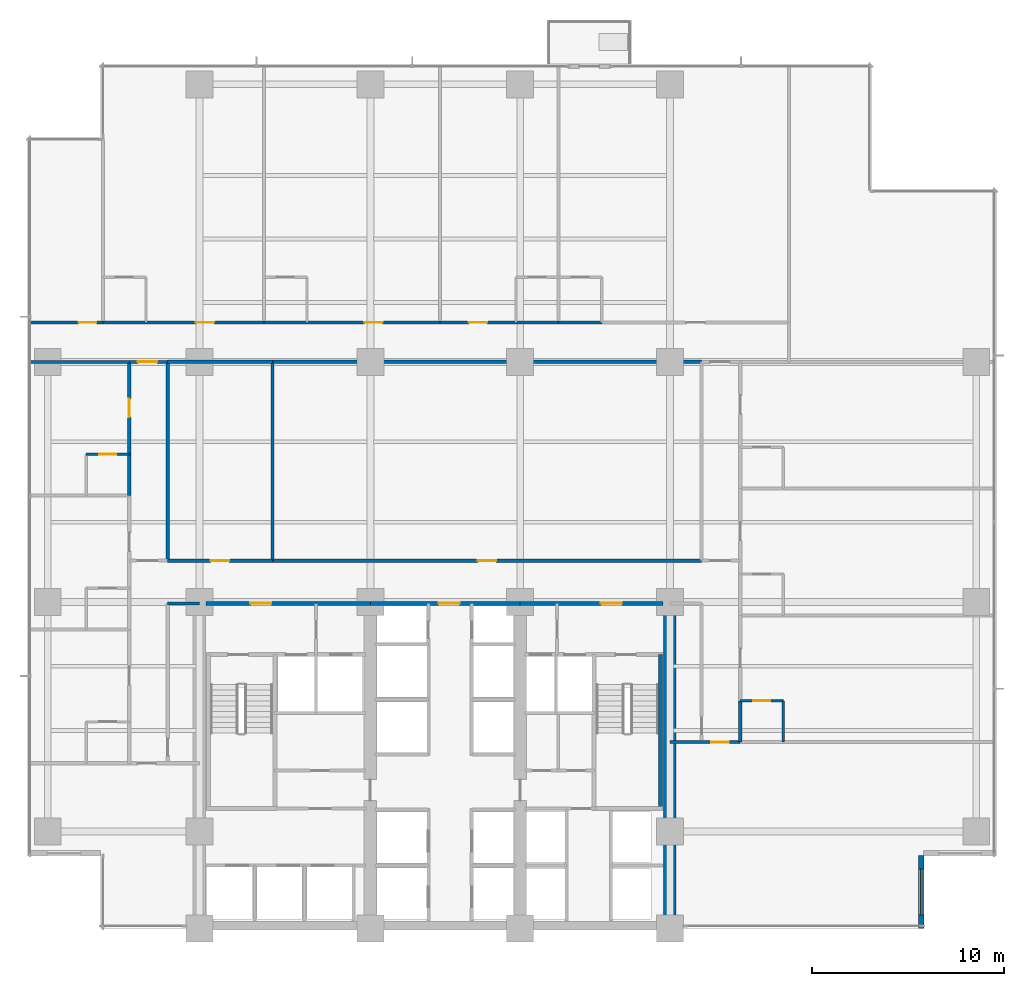
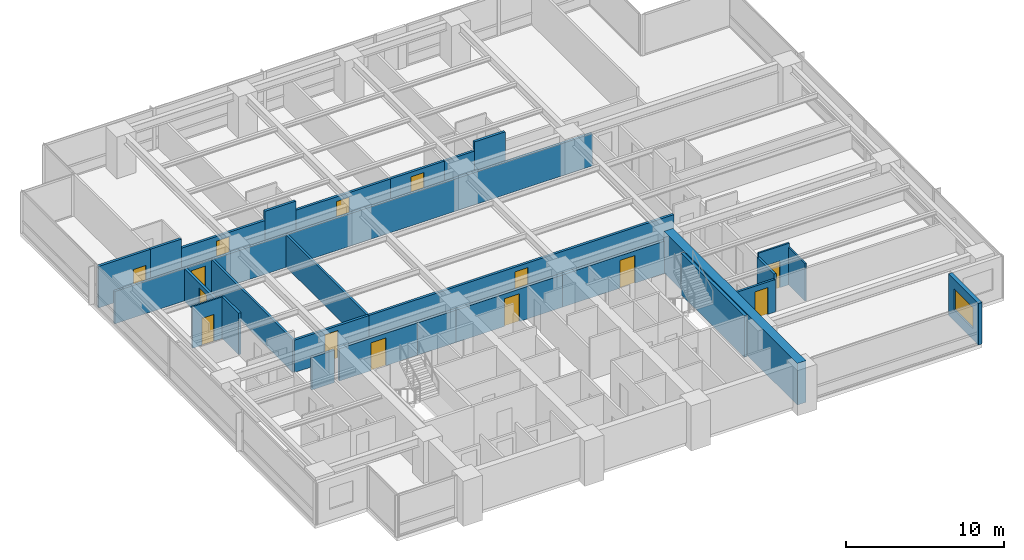
# One storey, part 9 of 16: 31 walls, 14 doors, 1 window, 15 openings.
"""IFC4 building model written with IfcOpenShell, lengths in metres."""

import ifcopenshell
import ifcopenshell.guid

model = None  # the IFC model being written
_history = None  # IfcOwnerHistory: only IFC2X3 demands one
_inside = {}  # id of a spatial element -> (the spatial element, [elements in it])
_under = {}  # id of a project, library or spatial element -> (it, [spatial elements below it])
_declared = {}  # id of a project -> (the project, [libraries it declares])
_typed = {}  # id of a type object -> (the type object, [elements of that type])
_made_of = {}  # id of a material, layer set ... -> (it, [elements and type objects made of it])


def new_model(schema):
    """Start an empty IFC model of exactly this schema.

    Asked for "IFC4X3", IfcOpenShell would pick the latest addendum, in which some entities
    have other attributes; the version numbers below select the first issue.
    IFC2X3 requires an IfcOwnerHistory on every rooted entity: one is made here for all.
    """
    global model, _history
    if schema == "IFC4X3":
        model = ifcopenshell.file(schema_version=(4, 3, 0, 0))
    else:
        model = ifcopenshell.file(schema=schema)
    _inside.clear()
    _under.clear()
    _declared.clear()
    _typed.clear()
    _made_of.clear()
    _history = None
    if model.schema == "IFC2X3":
        org = make("IfcOrganization", Name="unknown")
        user = make(
            "IfcPersonAndOrganization",
            ThePerson=make("IfcPerson", FamilyName="unknown"),
            TheOrganization=org,
        )
        app = make(
            "IfcApplication",
            ApplicationDeveloper=org,
            Version="unknown",
            ApplicationFullName="unknown",
            ApplicationIdentifier="unknown",
        )
        _history = make(
            "IfcOwnerHistory",
            OwningUser=user,
            OwningApplication=app,
            ChangeAction="ADDED",
            CreationDate=0,
        )
    return model


def make(cls, **values):
    """One entity of the class cls with the attributes given. An attribute that is None is left unset."""
    return model.create_entity(
        cls, **{name: value for name, value in values.items() if value is not None}
    )


def rooted(cls, **values):
    """An entity with a GlobalId (a new one), such as an element, a storey or a relation."""
    return make(cls, GlobalId=ifcopenshell.guid.new(), OwnerHistory=_history, **values)


def si_unit(unit_type, name, prefix=None):
    """IfcSIUnit, for example si_unit("LENGTHUNIT", "METRE", prefix="MILLI")."""
    return make("IfcSIUnit", UnitType=unit_type, Prefix=prefix, Name=name)


def assignment(units):
    """IfcUnitAssignment: the units of a project."""
    return None if units is None else make("IfcUnitAssignment", Units=units)


def point(xyz):
    """IfcCartesianPoint."""
    return None if xyz is None else make("IfcCartesianPoint", Coordinates=xyz)


def direction(xyz):
    """IfcDirection."""
    return None if xyz is None else make("IfcDirection", DirectionRatios=xyz)


def frame(location, z_axis=None, x_axis=None):
    """IfcAxis2Placement3D, a coordinate frame: its origin and axes. An axis left out is left unset."""
    return make(
        "IfcAxis2Placement3D",
        Location=point(location),
        Axis=direction(z_axis),
        RefDirection=direction(x_axis),
    )


def frame_2d(location, x_axis=None):
    """IfcAxis2Placement2D, a coordinate frame in the plane: its origin and x axis."""
    return make(
        "IfcAxis2Placement2D", Location=point(location), RefDirection=direction(x_axis)
    )


def origin():
    """The frame at (0, 0, 0) with its axes left unset."""
    return frame((0.0, 0.0, 0.0))


def place(relative_to, where):
    """IfcLocalPlacement: puts the frame where relative to a parent placement (None: the world)."""
    return make(
        "IfcLocalPlacement", PlacementRelTo=relative_to, RelativePlacement=where
    )


def context(
    kind, dimensions, precision=None, world=None, true_north=None, identifier=None
):
    """IfcGeometricRepresentationContext, for example the 3D "Model" context."""
    return make(
        "IfcGeometricRepresentationContext",
        ContextIdentifier=identifier,
        ContextType=kind,
        CoordinateSpaceDimension=dimensions,
        Precision=precision,
        WorldCoordinateSystem=world,
        TrueNorth=true_north,
    )


def subcontext(parent, identifier, kind, view, scale=None):
    """IfcGeometricRepresentationSubContext, for example "Body" below "Model"."""
    return make(
        "IfcGeometricRepresentationSubContext",
        ContextIdentifier=identifier,
        ContextType=kind,
        ParentContext=parent,
        TargetScale=scale,
        TargetView=view,
    )


def project(units=None, contexts=None):
    """IfcProject with its units and contexts."""
    return rooted(
        "IfcProject",
        Name="project",
        RepresentationContexts=contexts,
        UnitsInContext=assignment(units),
    )


def spatial(cls, under=None, at=None, **own):
    """A site, building, storey or space (cls), placed at a placement, below another one or the project."""
    s = rooted(cls, ObjectPlacement=at, **own)
    if under is not None:
        _under.setdefault(under.id(), (under, []))[1].append(s)
    return s


def profile(cls, at=None, kind="AREA", **sizes):
    """A parametric profile (cls). Its sizes go by their IFC names, for example OverallWidth=200.0."""
    return make(cls, ProfileType=kind, Position=at, **sizes)


def rectangle(**sizes):
    """IfcRectangleProfileDef."""
    return profile("IfcRectangleProfileDef", **sizes)


def extrude(swept, where, along, depth):
    """IfcExtrudedAreaSolid: the profile swept, set in the frame where, extruded along a direction by depth."""
    return make(
        "IfcExtrudedAreaSolid",
        SweptArea=swept,
        Position=where,
        ExtrudedDirection=direction(along),
        Depth=depth,
    )


def shape(context_of_items, identifier, shape_type, items):
    """IfcShapeRepresentation: the items that make up one representation, for example the "Body"."""
    return make(
        "IfcShapeRepresentation",
        ContextOfItems=context_of_items,
        RepresentationIdentifier=identifier,
        RepresentationType=shape_type,
        Items=items,
    )


def material(Name=None, Category=None):
    """IfcMaterial."""
    return make("IfcMaterial", Name=Name, Category=Category)


def layer(
    of_material, thickness, ventilated=None, Name=None, Category=None, Priority=None
):
    """IfcMaterialLayer: one layer of a wall or slab, of a material (None: an air gap)."""
    return make(
        "IfcMaterialLayer",
        Material=of_material,
        LayerThickness=thickness,
        IsVentilated=ventilated,
        Name=Name,
        Category=Category,
        Priority=Priority,
    )


def layer_set(layers, Name=None):
    """IfcMaterialLayerSet."""
    return make("IfcMaterialLayerSet", MaterialLayers=layers, LayerSetName=Name)


def made_of(thing, what):
    """Note that an element or type object is made of a material, layer set ...; save() writes the relation."""
    if what is not None:
        _made_of.setdefault(what.id(), (what, []))[1].append(thing)
    return thing


def type_object(cls, material=None, **own):
    """A type object (cls), such as IfcWallType, which elements share."""
    return made_of(rooted(cls, **own), material)


def element(
    cls,
    number,
    at=None,
    inside=None,
    cuts=None,
    type_object=None,
    material=None,
    context=None,
    identifier="Body",
    shape_type=None,
    held_by="IfcProductDefinitionShape",
    body=None,
    shapes=None,
    **own,
):
    """One element of the class cls, such as IfcWall. Its Tag is "e" and its number.

    at: its placement. inside: the storey or other place that contains it. cuts: it is an
    opening in that element (IfcRelVoidsElement). A single representation is given by context,
    identifier, shape_type and body (its items); several are given by shapes. held_by: the class
    of the entity that holds the representations. save() writes the other relations.
    """
    e = rooted(cls, Tag="e%d" % number, ObjectPlacement=at, **own)
    if body is not None:
        shapes = [shape(context, identifier, shape_type, body)]
    if shapes is not None:
        e.Representation = make(held_by, Representations=shapes)
    if inside is not None:
        _inside.setdefault(inside.id(), (inside, []))[1].append(e)
    if cuts is not None:
        rooted(
            "IfcRelVoidsElement", RelatingBuildingElement=cuts, RelatedOpeningElement=e
        )
    if type_object is not None:
        _typed.setdefault(type_object.id(), (type_object, []))[1].append(e)
    return made_of(e, material)


def fill(opening, filler):
    """IfcRelFillsElement: the door or window that sits in an opening."""
    return rooted(
        "IfcRelFillsElement",
        RelatingOpeningElement=opening,
        RelatedBuildingElement=filler,
    )


def aggregate(whole, parts):
    """IfcRelAggregates: a whole, such as a stair, and the parts it consists of."""
    return rooted("IfcRelAggregates", RelatingObject=whole, RelatedObjects=parts)


def save(model, path):
    """Write the relations noted so far, then the file.

    IfcRelAggregates (storeys below a building ...), IfcRelContainedInSpatialStructure (elements
    in a storey), IfcRelDefinesByType, IfcRelAssociatesMaterial and IfcRelDeclares: one each for
    every whole, place, type object, material and project.
    """
    for whole, parts in _under.values():
        aggregate(whole, parts)
    for where, things in _inside.values():
        rooted(
            "IfcRelContainedInSpatialStructure",
            RelatedElements=things,
            RelatingStructure=where,
        )
    for kind, things in _typed.values():
        rooted("IfcRelDefinesByType", RelatedObjects=things, RelatingType=kind)
    for what, things in _made_of.values():
        rooted("IfcRelAssociatesMaterial", RelatedObjects=things, RelatingMaterial=what)
    for by, libraries in _declared.values():
        rooted("IfcRelDeclares", RelatingContext=by, RelatedDefinitions=libraries)
    model.write(path)


model = new_model("IFC4")

# Units and contexts
model_context = context("Model", 3, precision=1e-05, world=origin(), true_north=direction((0.0, 1.0)))
body_context = subcontext(model_context, "Body", "Model", "MODEL_VIEW")
ifc_project = project(units=[si_unit("LENGTHUNIT", "METRE"), si_unit("AREAUNIT", "SQUARE_METRE"), si_unit("VOLUMEUNIT", "CUBIC_METRE"), si_unit("PLANEANGLEUNIT", "RADIAN"), si_unit("MASSUNIT", "GRAM", prefix="KILO")], contexts=[model_context])

# Site, building, storey
site_placement = place(None, origin())
site = spatial("IfcSite", under=ifc_project, at=site_placement, CompositionType="ELEMENT")
building_placement = place(site_placement, origin())
building = spatial("IfcBuilding", under=site, at=building_placement, Name="Qalmaran Belvedere Hotel", CompositionType="ELEMENT")
storey_placement = place(building_placement, frame((0.0, 0.0, 64.89990234375)))
storey = spatial("IfcBuildingStorey", under=building, at=storey_placement, Name="L16", CompositionType="ELEMENT", Elevation=64.89990234375)

# Wall
ifc_material_1 = material(Name="Concrete C60/75", Category="concrete")
ifc_layer_1 = layer(ifc_material_1, 0.64990234375, Name="Concrete C60/75")
ifc_layer_set_1 = layer_set([ifc_layer_1], Name="Concrete C60/75")
wall_type_1 = type_object("IfcWallType", Name="WL-CORE-650-C60", PredefinedType="SHEAR", material=ifc_layer_set_1)
wall_1_placement = place(storey_placement, frame((44.800048828125, 3.5, 0.0), z_axis=(0.0, 0.0, 1.0), x_axis=(0.0, 1.0, 0.0)))
element("IfcWall", 1, at=wall_1_placement, inside=storey, type_object=wall_type_1, Name="L16 East Core Shear Wall", PredefinedType="SHEAR", context=body_context, shape_type="SweptSolid", body=[
    extrude(rectangle(XDim=16.89990234375, YDim=0.64990234375, at=frame_2d((8.449951171875, 0.0))), origin(), (0.0, 0.0, 1.0), 3.22021484375),
])

# Wall, opening, window
ifc_material_2 = material(Name="Anodised Bronze Cladding")
ifc_layer_2 = layer(ifc_material_2, 0.280029296875, Name="Anodised Bronze Cladding")
ifc_layer_set_2 = layer_set([ifc_layer_2], Name="Anodised Bronze Cladding")
wall_type_2 = type_object("IfcWallType", Name="WL-EXT-BRNZ-280", PredefinedType="SOLIDWALL", material=ifc_layer_set_2)
wall_2_placement = place(storey_placement, frame((57.8798828125, 3.5, 0.0), z_axis=(0.0, 0.0, 1.0), x_axis=(0.0, 1.0, 0.0)))
wall_2 = element("IfcWall", 2, at=wall_2_placement, inside=storey, type_object=wall_type_2, Name="L16 Corner Notch Wall 1", PredefinedType="SOLIDWALL", context=body_context, shape_type="SweptSolid", body=[
    extrude(rectangle(XDim=3.800048828125, YDim=0.280029296875, at=frame_2d((1.89990234375, 0.0))), origin(), (0.0, 0.0, 1.0), 3.22021484375),
])
opening_1_placement = place(wall_2_placement, frame((0.699951171875, 0.0, 0.85009765625)))
opening_1 = element("IfcOpeningElement", 3, at=opening_1_placement, cuts=wall_2, Name="Opening W-N24", PredefinedType="OPENING", context=body_context, shape_type="SweptSolid", body=[
    extrude(rectangle(XDim=2.39990234375, YDim=1.64990234375, at=frame_2d((1.199951171875, 0.824951171875))), frame((0.0, 0.14990234375, 0.0), z_axis=(0.0, -1.0, 0.0), x_axis=(1.0, 0.0, 0.0)), (0.0, 0.0, 1.0), 0.300048828125),
])
ifc_material_3 = material(Name="Solar-Control Double Glazing", Category="glass")
window_type = type_object("IfcWindowType", Name="WN-NTC-2400X1650", PartitioningType="SINGLE_PANEL", PredefinedType="WINDOW", material=ifc_material_3)
window_placement = place(opening_1_placement, origin())
window = element("IfcWindow", 4, at=window_placement, inside=storey, type_object=window_type, Name="L16 Corner Notch Window 1", OverallHeight=1.64990234375, OverallWidth=2.39990234375, PartitioningType="SINGLE_PANEL", PredefinedType="WINDOW", context=body_context, shape_type="SweptSolid", body=[
    extrude(rectangle(XDim=2.39990234375, YDim=1.64990234375, at=frame_2d((1.199951171875, 0.824951171875))), frame((0.0, 0.030029296875, 0.0), z_axis=(0.0, -1.0, 0.0), x_axis=(1.0, 0.0, 0.0)), (0.0, 0.0, 1.0), 0.06005859375),
])
fill(opening_1, window)

# Wall, opening, door
ifc_material_4 = material(Name="Moisture-Resistant Gypsum")
ifc_layer_3 = layer(ifc_material_4, 0.1201171875, Name="Moisture-Resistant Gypsum")
ifc_layer_set_3 = layer_set([ifc_layer_3], Name="Moisture-Resistant Gypsum")
wall_type_3 = type_object("IfcWallType", Name="WL-INT-120-BATH", PredefinedType="PARTITIONING", material=ifc_layer_set_3)
wall_3_placement = place(storey_placement, frame((14.39990234375, 28.183349609375, 0.0), z_axis=(0.0, 0.0, 1.0), x_axis=(1.0, 0.0, 0.0)))
wall_3 = element("IfcWall", 5, at=wall_3_placement, inside=storey, type_object=wall_type_3, Name="L16 Partition WL-L16-WBN02", PredefinedType="PARTITIONING", context=body_context, shape_type="SweptSolid", body=[
    extrude(rectangle(XDim=2.25, YDim=0.1201171875, at=frame_2d((1.125, 0.0))), origin(), (0.0, 0.0, 1.0), 3.22021484375),
])
opening_2_placement = place(wall_3_placement, frame((1.56494140625, 0.0, 0.0), z_axis=(0.0, 0.0, 1.0), x_axis=(-1.0, 0.0, 0.0)))
opening_2 = element("IfcOpeningElement", 6, at=opening_2_placement, cuts=wall_3, Name="Opening D-BATH", PredefinedType="OPENING", context=body_context, shape_type="SweptSolid", body=[
    extrude(rectangle(XDim=0.8798828125, YDim=2.080078125, at=frame_2d((0.43994140625, 1.0400390625))), frame((0.0, 0.070068359375, 0.0), z_axis=(0.0, -1.0, 0.0), x_axis=(1.0, 0.0, 0.0)), (0.0, 0.0, 1.0), 0.14013671875),
])
ifc_material_5 = material(Name="Engineered Oak Veneer")
door_type_1 = type_object("IfcDoorType", Name="DR-INT-BATH-880X2080", OperationType="NOTDEFINED", PredefinedType="DOOR", material=ifc_material_5)
door_1_placement = place(opening_2_placement, origin())
door_1 = element("IfcDoor", 7, at=door_1_placement, inside=storey, type_object=door_type_1, Name="L16 W Ensuite Door 03", OperationType="SINGLE_SWING_RIGHT", OverallHeight=2.080078125, OverallWidth=0.8798828125, PredefinedType="DOOR", context=body_context, shape_type="SweptSolid", body=[
    extrude(rectangle(XDim=0.8798828125, YDim=2.080078125, at=frame_2d((0.43994140625, 1.0400390625))), frame((0.0, 0.02490234375, 0.0), z_axis=(0.0, -1.0, 0.0), x_axis=(1.0, 0.0, 0.0)), (0.0, 0.0, 1.0), 0.050048828125),
])
fill(opening_2, door_1)

wall_4_placement = place(storey_placement, frame((48.449951171875, 15.35009765625, 0.0), z_axis=(0.0, 0.0, 1.0), x_axis=(1.0, 0.0, 0.0)))
wall_4 = element("IfcWall", 8, at=wall_4_placement, inside=storey, type_object=wall_type_3, Name="L16 Partition WL-L16-EBN00", PredefinedType="PARTITIONING", context=body_context, shape_type="SweptSolid", body=[
    extrude(rectangle(XDim=2.25, YDim=0.1201171875, at=frame_2d((1.125, 0.0))), origin(), (0.0, 0.0, 1.0), 3.22021484375),
])
opening_3_placement = place(wall_4_placement, frame((1.56494140625, 0.0, 0.0), z_axis=(0.0, 0.0, 1.0), x_axis=(-1.0, 0.0, 0.0)))
opening_3 = element("IfcOpeningElement", 9, at=opening_3_placement, cuts=wall_4, Name="Opening D-BATH", PredefinedType="OPENING", context=body_context, shape_type="SweptSolid", body=[
    extrude(rectangle(XDim=0.8798828125, YDim=2.080078125, at=frame_2d((0.43994140625, 1.0400390625))), frame((0.0, 0.070068359375, 0.0), z_axis=(0.0, -1.0, 0.0), x_axis=(1.0, 0.0, 0.0)), (0.0, 0.0, 1.0), 0.14013671875),
])
door_2_placement = place(opening_3_placement, origin())
door_2 = element("IfcDoor", 10, at=door_2_placement, inside=storey, type_object=door_type_1, Name="L16 E Ensuite Door 01", OperationType="SINGLE_SWING_RIGHT", OverallHeight=2.080078125, OverallWidth=0.8798828125, PredefinedType="DOOR", context=body_context, shape_type="SweptSolid", body=[
    extrude(rectangle(XDim=0.8798828125, YDim=2.080078125, at=frame_2d((0.43994140625, 1.0400390625))), frame((0.0, 0.02490234375, 0.0), z_axis=(0.0, -1.0, 0.0), x_axis=(1.0, 0.0, 0.0)), (0.0, 0.0, 1.0), 0.050048828125),
])
fill(opening_3, door_2)

# Wall
wall_5_placement = place(storey_placement, frame((50.699951171875, 13.199951171875, 0.0), z_axis=(0.0, 0.0, 1.0), x_axis=(0.0, 1.0, 0.0)))
element("IfcWall", 11, at=wall_5_placement, inside=storey, type_object=wall_type_3, Name="L16 Partition WL-L16-EBS00", PredefinedType="PARTITIONING", context=body_context, shape_type="SweptSolid", body=[
    extrude(rectangle(XDim=2.150146484375, YDim=0.1201171875, at=frame_2d((1.0751953125, 0.0))), origin(), (0.0, 0.0, 1.0), 2.902099609375),
])

# Wall, opening, door
ifc_material_6 = material(Name="Gypsum Stud Partition")
ifc_layer_4 = layer(ifc_material_6, 0.14990234375, Name="Gypsum Stud Partition")
ifc_layer_set_4 = layer_set([ifc_layer_4], Name="Gypsum Stud Partition")
wall_type_4 = type_object("IfcWallType", Name="WL-INT-150-EI60", PredefinedType="PARTITIONING", material=ifc_layer_set_4)
wall_6_placement = place(storey_placement, frame((16.64990234375, 33.0, 0.0), z_axis=(0.0, 0.0, 1.0), x_axis=(1.0, 0.0, 0.0)))
wall_6 = element("IfcWall", 12, at=wall_6_placement, inside=storey, type_object=wall_type_4, Name="L16 Partition WL-L16-XCW2", PredefinedType="PARTITIONING", context=body_context, shape_type="SweptSolid", body=[
    extrude(rectangle(XDim=2.0, YDim=0.14990234375, at=frame_2d((1.0, 0.0))), origin(), (0.0, 0.0, 1.0), 2.510009765625),
])
opening_4_placement = place(wall_6_placement, frame((0.449951171875, 0.0, 0.0)))
opening_4 = element("IfcOpeningElement", 13, at=opening_4_placement, cuts=wall_6, Name="Opening FD90B", PredefinedType="OPENING", context=body_context, shape_type="SweptSolid", body=[
    extrude(rectangle(XDim=1.0, YDim=2.14990234375, at=frame_2d((0.5, 1.074951171875))), frame((0.0, 0.0849609375, 0.0), z_axis=(0.0, -1.0, 0.0), x_axis=(1.0, 0.0, 0.0)), (0.0, 0.0, 1.0), 0.169921875),
])
ifc_material_7 = material(Name="Steel S355JR", Category="steel")
door_type_2 = type_object("IfcDoorType", Name="DR-FD90B-1000X2150", OperationType="NOTDEFINED", PredefinedType="DOOR", material=ifc_material_7)
door_3_placement = place(opening_4_placement, origin())
door_3 = element("IfcDoor", 14, at=door_3_placement, inside=storey, type_object=door_type_2, Name="L16 West Corridor Smoke Door N", OperationType="SINGLE_SWING_LEFT", OverallHeight=2.14990234375, OverallWidth=1.0, PredefinedType="DOOR", context=body_context, shape_type="SweptSolid", body=[
    extrude(rectangle(XDim=1.0, YDim=2.14990234375, at=frame_2d((0.5, 1.074951171875))), frame((0.0, 0.02490234375, 0.0), z_axis=(0.0, -1.0, 0.0), x_axis=(1.0, 0.0, 0.0)), (0.0, 0.0, 1.0), 0.050048828125),
])
fill(opening_4, door_3)

ifc_layer_5 = layer(ifc_material_6, 0.159912109375, Name="Gypsum Stud Partition")
ifc_layer_set_5 = layer_set([ifc_layer_5], Name="Gypsum Stud Partition")
wall_type_5 = type_object("IfcWallType", Name="WL-INT-160-EI60", PredefinedType="PARTITIONING", material=ifc_layer_set_5)
wall_7_placement = place(storey_placement, frame((44.800048828125, 13.199951171875, 0.0), z_axis=(0.0, 0.0, 1.0), x_axis=(1.0, 0.0, 0.0)))
wall_7 = element("IfcWall", 15, at=wall_7_placement, inside=storey, type_object=wall_type_5, Name="L16 Partition WL-L16-SERL", PredefinedType="PARTITIONING", context=body_context, shape_type="SweptSolid", body=[
    extrude(rectangle(XDim=3.64990234375, YDim=0.159912109375, at=frame_2d((1.824951171875, 0.0))), origin(), (0.0, 0.0, 1.0), 2.510009765625),
])
opening_5_placement = place(wall_7_placement, frame((3.06982421875, 0.0, 0.0), z_axis=(0.0, 0.0, 1.0), x_axis=(-1.0, 0.0, 0.0)))
opening_5 = element("IfcOpeningElement", 16, at=opening_5_placement, cuts=wall_7, Name="Opening FD60S1", PredefinedType="OPENING", context=body_context, shape_type="SweptSolid", body=[
    extrude(rectangle(XDim=0.919921875, YDim=2.080078125, at=frame_2d((0.4599609375, 1.0400390625))), frame((0.0, 0.08984375, 0.0), z_axis=(0.0, -1.0, 0.0), x_axis=(1.0, 0.0, 0.0)), (0.0, 0.0, 1.0), 0.179931640625),
])
door_type_3 = type_object("IfcDoorType", Name="DR-FD60S-920X2080", OperationType="NOTDEFINED", PredefinedType="DOOR", material=ifc_material_5)
door_4_placement = place(opening_5_placement, origin())
door_4 = element("IfcDoor", 17, at=door_4_placement, inside=storey, type_object=door_type_3, Name="L16 SE Lounge Door", OperationType="SINGLE_SWING_LEFT", OverallHeight=2.080078125, OverallWidth=0.919921875, PredefinedType="DOOR", context=body_context, shape_type="SweptSolid", body=[
    extrude(rectangle(XDim=0.919921875, YDim=2.080078125, at=frame_2d((0.4599609375, 1.0400390625))), frame((0.0, 0.02490234375, 0.0), z_axis=(0.0, -1.0, 0.0), x_axis=(1.0, 0.0, 0.0)), (0.0, 0.0, 1.0), 0.050048828125),
])
fill(opening_5, door_4)

# Walls
wall_8_placement = place(storey_placement, frame((18.64990234375, 20.419921875, 0.0), z_axis=(0.0, 0.0, 1.0), x_axis=(1.0, 0.0, 0.0)))
element("IfcWall", 18, at=wall_8_placement, inside=storey, type_object=wall_type_5, Name="L16 Partition WL-L16-WCLN", PredefinedType="PARTITIONING", context=body_context, shape_type="SweptSolid", body=[
    extrude(rectangle(XDim=1.650146484375, YDim=0.159912109375, at=frame_2d((0.8251953125, 0.0))), origin(), (0.0, 0.0, 1.0), 2.510009765625),
])
for number, where, z_axis, x_axis, name in (
    (19, (18.64990234375, 22.64990234375, 0.0), (0.0, 0.0, 1.0), (0.0, 1.0, 0.0), "L16 Partition WL-L16-MIDVL"),
    (20, (24.10009765625, 22.64990234375, 0.0), (0.0, 0.0, 1.0), (0.0, 1.0, 0.0), "L16 Partition WL-L16-MIDVR1"),
):
    element("IfcWall", number, at=place(storey_placement, frame(where, z_axis=z_axis, x_axis=x_axis)), inside=storey, type_object=wall_type_5, Name=name, PredefinedType="PARTITIONING", context=body_context, shape_type="SweptSolid", body=[
        extrude(rectangle(XDim=10.35009765625, YDim=0.159912109375, at=frame_2d((5.175048828125, 0.0))), origin(), (0.0, 0.0, 1.0), 2.510009765625),
    ])
wall_9_placement = place(storey_placement, frame((11.469970703125, 33.0, 0.0), z_axis=(0.0, 0.0, 1.0), x_axis=(1.0, 0.0, 0.0)))
element("IfcWall", 21, at=wall_9_placement, inside=storey, type_object=wall_type_5, Name="L16 Partition WL-L16-WU02", PredefinedType="PARTITIONING", context=body_context, shape_type="SweptSolid", body=[
    extrude(rectangle(XDim=5.179931640625, YDim=0.159912109375, at=frame_2d((2.58984375, 0.0))), origin(), (0.0, 0.0, 1.0), 2.510009765625),
])

# Wall, opening, door
ifc_layer_6 = layer(ifc_material_6, 0.179931640625, Name="Gypsum Stud Partition")
ifc_layer_set_6 = layer_set([ifc_layer_6], Name="Gypsum Stud Partition")
wall_type_6 = type_object("IfcWallType", Name="WL-INT-180-EI60", PredefinedType="PARTITIONING", material=ifc_layer_set_6)
wall_10_placement = place(storey_placement, frame((18.64990234375, 22.64990234375, 0.0), z_axis=(0.0, 0.0, 1.0), x_axis=(1.0, 0.0, 0.0)))
wall_10 = element("IfcWall", 22, at=wall_10_placement, inside=storey, type_object=wall_type_6, Name="L16 Partition WL-L16-MIDD1", PredefinedType="PARTITIONING", context=body_context, shape_type="SweptSolid", body=[
    extrude(rectangle(XDim=5.4501953125, YDim=0.179931640625, at=frame_2d((2.72509765625, 0.0))), origin(), (0.0, 0.0, 1.0), 2.510009765625),
])
opening_6_placement = place(wall_10_placement, frame((2.25, 0.0, 0.0)))
opening_6 = element("IfcOpeningElement", 23, at=opening_6_placement, cuts=wall_10, Name="Opening FD60", PredefinedType="OPENING", context=body_context, shape_type="SweptSolid", body=[
    extrude(rectangle(XDim=0.949951171875, YDim=2.14990234375, at=frame_2d((0.47509765625, 1.074951171875))), frame((0.0, 0.10009765625, 0.0), z_axis=(0.0, -1.0, 0.0), x_axis=(1.0, 0.0, 0.0)), (0.0, 0.0, 1.0), 0.199951171875),
])
door_type_4 = type_object("IfcDoorType", Name="DR-FD60-950X2150", OperationType="NOTDEFINED", PredefinedType="DOOR", material=ifc_material_5)
door_5_placement = place(opening_6_placement, origin())
door_5 = element("IfcDoor", 24, at=door_5_placement, inside=storey, type_object=door_type_4, Name="L16 Housekeeping and Linen Room Door", OperationType="SINGLE_SWING_RIGHT", OverallHeight=2.14990234375, OverallWidth=0.949951171875, PredefinedType="DOOR", context=body_context, shape_type="SweptSolid", body=[
    extrude(rectangle(XDim=0.949951171875, YDim=2.14990234375, at=frame_2d((0.47509765625, 1.074951171875))), frame((0.0, 0.02490234375, 0.0), z_axis=(0.0, -1.0, 0.0), x_axis=(1.0, 0.0, 0.0)), (0.0, 0.0, 1.0), 0.050048828125),
])
fill(opening_6, door_5)

# Wall
wall_11_placement = place(storey_placement, frame((18.64990234375, 33.0, 0.0), z_axis=(0.0, 0.0, 1.0), x_axis=(1.0, 0.0, 0.0)))
element("IfcWall", 25, at=wall_11_placement, inside=storey, type_object=wall_type_6, Name="L16 Partition WL-L16-MIDO1", PredefinedType="PARTITIONING", context=body_context, shape_type="SweptSolid", body=[
    extrude(rectangle(XDim=5.4501953125, YDim=0.179931640625, at=frame_2d((2.72509765625, 0.0))), origin(), (0.0, 0.0, 1.0), 2.510009765625),
])

# Wall, opening, door
wall_12_placement = place(storey_placement, frame((24.10009765625, 22.64990234375, 0.0), z_axis=(0.0, 0.0, 1.0), x_axis=(1.0, 0.0, 0.0)))
wall_12 = element("IfcWall", 26, at=wall_12_placement, inside=storey, type_object=wall_type_6, Name="L16 Partition WL-L16-MIDD2", PredefinedType="PARTITIONING", context=body_context, shape_type="SweptSolid", body=[
    extrude(rectangle(XDim=22.349853515625, YDim=0.179931640625, at=frame_2d((11.1748046875, 0.0))), origin(), (0.0, 0.0, 1.0), 2.510009765625),
])
opening_7_placement = place(wall_12_placement, frame((10.699951171875, 0.0, 0.0)))
opening_7 = element("IfcOpeningElement", 27, at=opening_7_placement, cuts=wall_12, Name="Opening FD60", PredefinedType="OPENING", context=body_context, shape_type="SweptSolid", body=[
    extrude(rectangle(XDim=0.949951171875, YDim=2.14990234375, at=frame_2d((0.47509765625, 1.074951171875))), frame((0.0, 0.10009765625, 0.0), z_axis=(0.0, -1.0, 0.0), x_axis=(1.0, 0.0, 0.0)), (0.0, 0.0, 1.0), 0.199951171875),
])
door_6_placement = place(opening_7_placement, origin())
door_6 = element("IfcDoor", 28, at=door_6_placement, inside=storey, type_object=door_type_4, Name="L16 Diplomatic Lounge Door", OperationType="SINGLE_SWING_LEFT", OverallHeight=2.14990234375, OverallWidth=0.949951171875, PredefinedType="DOOR", context=body_context, shape_type="SweptSolid", body=[
    extrude(rectangle(XDim=0.949951171875, YDim=2.14990234375, at=frame_2d((0.47509765625, 1.074951171875))), frame((0.0, 0.02490234375, 0.0), z_axis=(0.0, -1.0, 0.0), x_axis=(1.0, 0.0, 0.0)), (0.0, 0.0, 1.0), 0.050048828125),
])
fill(opening_7, door_6)

# Walls
wall_13_placement = place(storey_placement, frame((24.10009765625, 33.0, 0.0), z_axis=(0.0, 0.0, 1.0), x_axis=(1.0, 0.0, 0.0)))
element("IfcWall", 29, at=wall_13_placement, inside=storey, type_object=wall_type_6, Name="L16 Partition WL-L16-MIDO2", PredefinedType="PARTITIONING", context=body_context, shape_type="SweptSolid", body=[
    extrude(rectangle(XDim=22.349853515625, YDim=0.179931640625, at=frame_2d((11.1748046875, 0.0))), origin(), (0.0, 0.0, 1.0), 2.510009765625),
])
wall_14_placement = place(storey_placement, frame((15.27001953125, 35.050048828125, 0.0), z_axis=(0.0, 0.0, 1.0), x_axis=(1.0, 0.0, 0.0)))
element("IfcWall", 30, at=wall_14_placement, inside=storey, type_object=wall_type_6, Name="L16 Partition WL-L16-NBC00", PredefinedType="PARTITIONING", context=body_context, shape_type="SweptSolid", body=[
    extrude(rectangle(XDim=2.25, YDim=0.179931640625, at=frame_2d((1.125, 0.0))), origin(), (0.0, 0.0, 1.0), 3.22021484375),
])

# Wall, opening, door
wall_15_placement = place(storey_placement, frame((17.52001953125, 35.050048828125, 0.0), z_axis=(0.0, 0.0, 1.0), x_axis=(1.0, 0.0, 0.0)))
wall_15 = element("IfcWall", 31, at=wall_15_placement, inside=storey, type_object=wall_type_6, Name="L16 Partition WL-L16-NEC00", PredefinedType="PARTITIONING", context=body_context, shape_type="SweptSolid", body=[
    extrude(rectangle(XDim=6.131103515625, YDim=0.179931640625, at=frame_2d((3.0654296875, 0.0))), origin(), (0.0, 0.0, 1.0), 2.510009765625),
])
opening_8_placement = place(wall_15_placement, frame((2.590576171875, 0.0, 0.0)))
opening_8 = element("IfcOpeningElement", 32, at=opening_8_placement, cuts=wall_15, Name="Opening FD60", PredefinedType="OPENING", context=body_context, shape_type="SweptSolid", body=[
    extrude(rectangle(XDim=0.949951171875, YDim=2.14990234375, at=frame_2d((0.47509765625, 1.074951171875))), frame((0.0, 0.10009765625, 0.0), z_axis=(0.0, -1.0, 0.0), x_axis=(1.0, 0.0, 0.0)), (0.0, 0.0, 1.0), 0.199951171875),
])
door_7_placement = place(opening_8_placement, origin())
door_7 = element("IfcDoor", 33, at=door_7_placement, inside=storey, type_object=door_type_4, Name="L16 Guest Entrance Door N01", OperationType="SINGLE_SWING_LEFT", OverallHeight=2.14990234375, OverallWidth=0.949951171875, PredefinedType="DOOR", context=body_context, shape_type="SweptSolid", body=[
    extrude(rectangle(XDim=0.949951171875, YDim=2.14990234375, at=frame_2d((0.47509765625, 1.074951171875))), frame((0.0, 0.02490234375, 0.0), z_axis=(0.0, -1.0, 0.0), x_axis=(1.0, 0.0, 0.0)), (0.0, 0.0, 1.0), 0.050048828125),
])
fill(opening_8, door_7)

# Wall
wall_16_placement = place(storey_placement, frame((23.651123046875, 35.050048828125, 0.0), z_axis=(0.0, 0.0, 1.0), x_axis=(1.0, 0.0, 0.0)))
element("IfcWall", 34, at=wall_16_placement, inside=storey, type_object=wall_type_6, Name="L16 Partition WL-L16-NBC01", PredefinedType="PARTITIONING", context=body_context, shape_type="SweptSolid", body=[
    extrude(rectangle(XDim=2.25, YDim=0.179931640625, at=frame_2d((1.125, 0.0))), origin(), (0.0, 0.0, 1.0), 3.22021484375),
])

# Wall, opening, door
wall_17_placement = place(storey_placement, frame((25.901123046875, 35.050048828125, 0.0), z_axis=(0.0, 0.0, 1.0), x_axis=(1.0, 0.0, 0.0)))
wall_17 = element("IfcWall", 35, at=wall_17_placement, inside=storey, type_object=wall_type_6, Name="L16 Partition WL-L16-NEC01", PredefinedType="PARTITIONING", context=body_context, shape_type="SweptSolid", body=[
    extrude(rectangle(XDim=6.92919921875, YDim=0.179931640625, at=frame_2d((3.464599609375, 0.0))), origin(), (0.0, 0.0, 1.0), 2.510009765625),
])
opening_9_placement = place(wall_17_placement, frame((2.989501953125, 0.0, 0.0)))
opening_9 = element("IfcOpeningElement", 36, at=opening_9_placement, cuts=wall_17, Name="Opening FD60", PredefinedType="OPENING", context=body_context, shape_type="SweptSolid", body=[
    extrude(rectangle(XDim=0.949951171875, YDim=2.14990234375, at=frame_2d((0.47509765625, 1.074951171875))), frame((0.0, 0.10009765625, 0.0), z_axis=(0.0, -1.0, 0.0), x_axis=(1.0, 0.0, 0.0)), (0.0, 0.0, 1.0), 0.199951171875),
])
door_8_placement = place(opening_9_placement, origin())
door_8 = element("IfcDoor", 37, at=door_8_placement, inside=storey, type_object=door_type_4, Name="L16 Guest Entrance Door N02", OperationType="SINGLE_SWING_LEFT", OverallHeight=2.14990234375, OverallWidth=0.949951171875, PredefinedType="DOOR", context=body_context, shape_type="SweptSolid", body=[
    extrude(rectangle(XDim=0.949951171875, YDim=2.14990234375, at=frame_2d((0.47509765625, 1.074951171875))), frame((0.0, 0.02490234375, 0.0), z_axis=(0.0, -1.0, 0.0), x_axis=(1.0, 0.0, 0.0)), (0.0, 0.0, 1.0), 0.050048828125),
])
fill(opening_9, door_8)

# Wall
wall_18_placement = place(storey_placement, frame((36.780029296875, 35.050048828125, 0.0), z_axis=(0.0, 0.0, 1.0), x_axis=(1.0, 0.0, 0.0)))
element("IfcWall", 38, at=wall_18_placement, inside=storey, type_object=wall_type_6, Name="L16 Partition WL-L16-NBC02", PredefinedType="PARTITIONING", context=body_context, shape_type="SweptSolid", body=[
    extrude(rectangle(XDim=2.219970703125, YDim=0.179931640625, at=frame_2d((1.10986328125, 0.0))), origin(), (0.0, 0.0, 1.0), 2.510009765625),
])

# Wall, opening, door
wall_19_placement = place(storey_placement, frame((32.830322265625, 35.050048828125, 0.0), z_axis=(0.0, 0.0, 1.0), x_axis=(1.0, 0.0, 0.0)))
wall_19 = element("IfcWall", 39, at=wall_19_placement, inside=storey, type_object=wall_type_6, Name="L16 Partition WL-L16-NEC02", PredefinedType="PARTITIONING", context=body_context, shape_type="SweptSolid", body=[
    extrude(rectangle(XDim=3.94970703125, YDim=0.179931640625, at=frame_2d((1.974853515625, 0.0))), origin(), (0.0, 0.0, 1.0), 2.510009765625),
])
opening_10_placement = place(wall_19_placement, frame((1.499755859375, 0.0, 0.0)))
opening_10 = element("IfcOpeningElement", 40, at=opening_10_placement, cuts=wall_19, Name="Opening FD60", PredefinedType="OPENING", context=body_context, shape_type="SweptSolid", body=[
    extrude(rectangle(XDim=0.949951171875, YDim=2.14990234375, at=frame_2d((0.47509765625, 1.074951171875))), frame((0.0, 0.10009765625, 0.0), z_axis=(0.0, -1.0, 0.0), x_axis=(1.0, 0.0, 0.0)), (0.0, 0.0, 1.0), 0.199951171875),
])
door_9_placement = place(opening_10_placement, origin())
door_9 = element("IfcDoor", 41, at=door_9_placement, inside=storey, type_object=door_type_4, Name="L16 Guest Entrance Door N03", OperationType="SINGLE_SWING_LEFT", OverallHeight=2.14990234375, OverallWidth=0.949951171875, PredefinedType="DOOR", context=body_context, shape_type="SweptSolid", body=[
    extrude(rectangle(XDim=0.949951171875, YDim=2.14990234375, at=frame_2d((0.47509765625, 1.074951171875))), frame((0.0, 0.02490234375, 0.0), z_axis=(0.0, -1.0, 0.0), x_axis=(1.0, 0.0, 0.0)), (0.0, 0.0, 1.0), 0.050048828125),
])
fill(opening_10, door_9)

# Walls
wall_20_placement = place(storey_placement, frame((39.0, 35.050048828125, 0.0), z_axis=(0.0, 0.0, 1.0), x_axis=(1.0, 0.0, 0.0)))
element("IfcWall", 42, at=wall_20_placement, inside=storey, type_object=wall_type_6, Name="L16 Partition WL-L16-NBC03", PredefinedType="PARTITIONING", context=body_context, shape_type="SweptSolid", body=[
    extrude(rectangle(XDim=2.25, YDim=0.179931640625, at=frame_2d((1.125, 0.0))), origin(), (0.0, 0.0, 1.0), 3.22021484375),
])
wall_21_placement = place(storey_placement, frame((16.64990234375, 26.033203125, 0.0), z_axis=(0.0, 0.0, 1.0), x_axis=(0.0, 1.0, 0.0)))
element("IfcWall", 43, at=wall_21_placement, inside=storey, type_object=wall_type_6, Name="L16 Partition WL-L16-WBC02", PredefinedType="PARTITIONING", context=body_context, shape_type="SweptSolid", body=[
    extrude(rectangle(XDim=2.150146484375, YDim=0.179931640625, at=frame_2d((1.0751953125, 0.0))), origin(), (0.0, 0.0, 1.0), 3.22021484375),
])

# Wall, opening, door
wall_22_placement = place(storey_placement, frame((16.64990234375, 28.183349609375, 0.0), z_axis=(0.0, 0.0, 1.0), x_axis=(0.0, 1.0, 0.0)))
wall_22 = element("IfcWall", 44, at=wall_22_placement, inside=storey, type_object=wall_type_6, Name="L16 Partition WL-L16-WEC02", PredefinedType="PARTITIONING", context=body_context, shape_type="SweptSolid", body=[
    extrude(rectangle(XDim=4.816650390625, YDim=0.179931640625, at=frame_2d((2.408203125, 0.0))), origin(), (0.0, 0.0, 1.0), 2.510009765625),
])
opening_11_placement = place(wall_22_placement, frame((1.933349609375, 0.0, 0.0)))
opening_11 = element("IfcOpeningElement", 45, at=opening_11_placement, cuts=wall_22, Name="Opening FD60", PredefinedType="OPENING", context=body_context, shape_type="SweptSolid", body=[
    extrude(rectangle(XDim=0.949951171875, YDim=2.14990234375, at=frame_2d((0.47509765625, 1.074951171875))), frame((0.0, 0.10009765625, 0.0), z_axis=(0.0, -1.0, 0.0), x_axis=(1.0, 0.0, 0.0)), (0.0, 0.0, 1.0), 0.199951171875),
])
door_10_placement = place(opening_11_placement, origin())
door_10 = element("IfcDoor", 46, at=door_10_placement, inside=storey, type_object=door_type_4, Name="L16 W Wing Door 03", OperationType="SINGLE_SWING_LEFT", OverallHeight=2.14990234375, OverallWidth=0.949951171875, PredefinedType="DOOR", context=body_context, shape_type="SweptSolid", body=[
    extrude(rectangle(XDim=0.949951171875, YDim=2.14990234375, at=frame_2d((0.47509765625, 1.074951171875))), frame((0.0, 0.02490234375, 0.0), z_axis=(0.0, -1.0, 0.0), x_axis=(1.0, 0.0, 0.0)), (0.0, 0.0, 1.0), 0.050048828125),
])
fill(opening_11, door_10)

# Wall
wall_23_placement = place(storey_placement, frame((48.449951171875, 13.199951171875, 0.0), z_axis=(0.0, 0.0, 1.0), x_axis=(0.0, 1.0, 0.0)))
element("IfcWall", 47, at=wall_23_placement, inside=storey, type_object=wall_type_6, Name="L16 Partition WL-L16-EBC00", PredefinedType="PARTITIONING", context=body_context, shape_type="SweptSolid", body=[
    extrude(rectangle(XDim=2.150146484375, YDim=0.179931640625, at=frame_2d((1.0751953125, 0.0))), origin(), (0.0, 0.0, 1.0), 2.902099609375),
])

# Wall, opening, door
wall_24_placement = place(storey_placement, frame((11.469970703125, 35.050048828125, 0.0), z_axis=(0.0, 0.0, 1.0), x_axis=(1.0, 0.0, 0.0)))
wall_24 = element("IfcWall", 48, at=wall_24_placement, inside=storey, type_object=wall_type_6, Name="L16 Partition WL-L16-NWSD", PredefinedType="PARTITIONING", context=body_context, shape_type="SweptSolid", body=[
    extrude(rectangle(XDim=3.800048828125, YDim=0.179931640625, at=frame_2d((1.89990234375, 0.0))), origin(), (0.0, 0.0, 1.0), 3.22021484375),
])
opening_12_placement = place(wall_24_placement, frame((2.543701171875, 0.0, 0.0)))
opening_12 = element("IfcOpeningElement", 49, at=opening_12_placement, cuts=wall_24, Name="Opening FD60S1", PredefinedType="OPENING", context=body_context, shape_type="SweptSolid", body=[
    extrude(rectangle(XDim=0.919921875, YDim=2.080078125, at=frame_2d((0.4599609375, 1.0400390625))), frame((0.0, 0.10009765625, 0.0), z_axis=(0.0, -1.0, 0.0), x_axis=(1.0, 0.0, 0.0)), (0.0, 0.0, 1.0), 0.199951171875),
])
door_11_placement = place(opening_12_placement, origin())
door_11 = element("IfcDoor", 50, at=door_11_placement, inside=storey, type_object=door_type_3, Name="L16 NW Belvedere Study Door", OperationType="SINGLE_SWING_RIGHT", OverallHeight=2.080078125, OverallWidth=0.919921875, PredefinedType="DOOR", context=body_context, shape_type="SweptSolid", body=[
    extrude(rectangle(XDim=0.919921875, YDim=2.080078125, at=frame_2d((0.4599609375, 1.0400390625))), frame((0.0, 0.02490234375, 0.0), z_axis=(0.0, -1.0, 0.0), x_axis=(1.0, 0.0, 0.0)), (0.0, 0.0, 1.0), 0.050048828125),
])
fill(opening_12, door_11)

ifc_material_8 = material(Name="Concrete C30/37 Blockwork", Category="masonry")
ifc_layer_7 = layer(ifc_material_8, 0.199951171875, Name="Concrete C30/37 Blockwork")
ifc_layer_set_7 = layer_set([ifc_layer_7], Name="Concrete C30/37 Blockwork")
wall_type_7 = type_object("IfcWallType", Name="WL-INT-200-EI120", PredefinedType="PARTITIONING", material=ifc_layer_set_7)
wall_25_placement = place(storey_placement, frame((20.64990234375, 20.419921875, 0.0), z_axis=(0.0, 0.0, 1.0), x_axis=(1.0, 0.0, 0.0)))
wall_25 = element("IfcWall", 51, at=wall_25_placement, inside=storey, type_object=wall_type_7, Name="L16 Partition WL-CN1A-L16", PredefinedType="PARTITIONING", context=body_context, shape_type="SweptSolid", body=[
    extrude(rectangle(XDim=5.72998046875, YDim=0.199951171875, at=frame_2d((2.864990234375, 0.0))), origin(), (0.0, 0.0, 1.0), 2.510009765625),
])
opening_13_placement = place(wall_25_placement, frame((2.300048828125, 0.0, 0.0)))
opening_13 = element("IfcOpeningElement", 52, at=opening_13_placement, cuts=wall_25, Name="Opening FD90", PredefinedType="OPENING", context=body_context, shape_type="SweptSolid", body=[
    extrude(rectangle(XDim=1.10009765625, YDim=2.14990234375, at=frame_2d((0.550048828125, 1.074951171875))), frame((0.0, 0.10986328125, 0.0), z_axis=(0.0, -1.0, 0.0), x_axis=(1.0, 0.0, 0.0)), (0.0, 0.0, 1.0), 0.219970703125),
])
door_type_5 = type_object("IfcDoorType", Name="DR-FD90-1100X2150", OperationType="NOTDEFINED", PredefinedType="DOOR", material=ifc_material_7)
door_12_placement = place(opening_13_placement, origin())
door_12 = element("IfcDoor", 53, at=door_12_placement, inside=storey, type_object=door_type_5, Name="L16 FF1 Lobby Corridor Door", OperationType="SINGLE_SWING_RIGHT", OverallHeight=2.14990234375, OverallWidth=1.10009765625, PredefinedType="DOOR", context=body_context, shape_type="SweptSolid", body=[
    extrude(rectangle(XDim=1.10009765625, YDim=2.14990234375, at=frame_2d((0.550048828125, 1.074951171875))), frame((0.0, 0.02490234375, 0.0), z_axis=(0.0, -1.0, 0.0), x_axis=(1.0, 0.0, 0.0)), (0.0, 0.0, 1.0), 0.050048828125),
])
fill(opening_13, door_12)

# Wall
wall_26_placement = place(storey_placement, frame((26.3798828125, 20.419921875, 0.0), z_axis=(0.0, 0.0, 1.0), x_axis=(1.0, 0.0, 0.0)))
element("IfcWall", 54, at=wall_26_placement, inside=storey, type_object=wall_type_7, Name="L16 Partition WL-CN1B-L16", PredefinedType="PARTITIONING", context=body_context, shape_type="SweptSolid", body=[
    extrude(rectangle(XDim=2.820068359375, YDim=0.199951171875, at=frame_2d((1.41015625, 0.0))), origin(), (0.0, 0.0, 1.0), 2.510009765625),
])

# Wall, opening, door
wall_27_placement = place(storey_placement, frame((29.199951171875, 20.419921875, 0.0), z_axis=(0.0, 0.0, 1.0), x_axis=(1.0, 0.0, 0.0)))
wall_27 = element("IfcWall", 55, at=wall_27_placement, inside=storey, type_object=wall_type_7, Name="L16 Partition WL-CN2-L16", PredefinedType="PARTITIONING", context=body_context, shape_type="SweptSolid", body=[
    extrude(rectangle(XDim=7.800048828125, YDim=0.199951171875, at=frame_2d((3.89990234375, 0.0))), origin(), (0.0, 0.0, 1.0), 2.510009765625),
])
opening_14_placement = place(wall_27_placement, frame((3.550048828125, 0.0, 0.0)))
opening_14 = element("IfcOpeningElement", 56, at=opening_14_placement, cuts=wall_27, Name="Opening FD90", PredefinedType="OPENING", context=body_context, shape_type="SweptSolid", body=[
    extrude(rectangle(XDim=1.10009765625, YDim=2.14990234375, at=frame_2d((0.550048828125, 1.074951171875))), frame((0.0, 0.10986328125, 0.0), z_axis=(0.0, -1.0, 0.0), x_axis=(1.0, 0.0, 0.0)), (0.0, 0.0, 1.0), 0.219970703125),
])
door_13_placement = place(opening_14_placement, origin())
door_13 = element("IfcDoor", 57, at=door_13_placement, inside=storey, type_object=door_type_5, Name="L16 Central Lift Lobby Door", OperationType="SINGLE_SWING_LEFT", OverallHeight=2.14990234375, OverallWidth=1.10009765625, PredefinedType="DOOR", context=body_context, shape_type="SweptSolid", body=[
    extrude(rectangle(XDim=1.10009765625, YDim=2.14990234375, at=frame_2d((0.550048828125, 1.074951171875))), frame((0.0, 0.02490234375, 0.0), z_axis=(0.0, -1.0, 0.0), x_axis=(1.0, 0.0, 0.0)), (0.0, 0.0, 1.0), 0.050048828125),
])
fill(opening_14, door_13)

wall_28_placement = place(storey_placement, frame((37.0, 20.419921875, 0.0), z_axis=(0.0, 0.0, 1.0), x_axis=(1.0, 0.0, 0.0)))
wall_28 = element("IfcWall", 58, at=wall_28_placement, inside=storey, type_object=wall_type_7, Name="L16 Partition WL-CN3-L16", PredefinedType="PARTITIONING", context=body_context, shape_type="SweptSolid", body=[
    extrude(rectangle(XDim=7.449951171875, YDim=0.199951171875, at=frame_2d((3.72509765625, 0.0))), origin(), (0.0, 0.0, 1.0), 2.510009765625),
])
opening_15_placement = place(wall_28_placement, frame((4.199951171875, 0.0, 0.0)))
opening_15 = element("IfcOpeningElement", 59, at=opening_15_placement, cuts=wall_28, Name="Opening FD90", PredefinedType="OPENING", context=body_context, shape_type="SweptSolid", body=[
    extrude(rectangle(XDim=1.10009765625, YDim=2.14990234375, at=frame_2d((0.550048828125, 1.074951171875))), frame((0.0, 0.10986328125, 0.0), z_axis=(0.0, -1.0, 0.0), x_axis=(1.0, 0.0, 0.0)), (0.0, 0.0, 1.0), 0.219970703125),
])
door_14_placement = place(opening_15_placement, origin())
door_14 = element("IfcDoor", 60, at=door_14_placement, inside=storey, type_object=door_type_5, Name="L16 FF2 Lobby Corridor Door", OperationType="SINGLE_SWING_RIGHT", OverallHeight=2.14990234375, OverallWidth=1.10009765625, PredefinedType="DOOR", context=body_context, shape_type="SweptSolid", body=[
    extrude(rectangle(XDim=1.10009765625, YDim=2.14990234375, at=frame_2d((0.550048828125, 1.074951171875))), frame((0.0, 0.02490234375, 0.0), z_axis=(0.0, -1.0, 0.0), x_axis=(1.0, 0.0, 0.0)), (0.0, 0.0, 1.0), 0.050048828125),
])
fill(opening_15, door_14)

# Wall
ifc_material_9 = material(Name="Concrete C50/60", Category="concrete")
ifc_layer_8 = layer(ifc_material_9, 0.2099609375, Name="Concrete C50/60")
ifc_layer_set_8 = layer_set([ifc_layer_8], Name="Concrete C50/60")
wall_type_8 = type_object("IfcWallType", Name="WL-STAIR-210-C50", PredefinedType="SHEAR", material=ifc_layer_set_8)
wall_29_placement = place(storey_placement, frame((44.304931640625, 9.7451171875, 0.0), z_axis=(0.0, 0.0, 1.0), x_axis=(0.0, 1.0, 0.0)))
element("IfcWall", 61, at=wall_29_placement, inside=storey, type_object=wall_type_8, Name="L16 Stair ST-2 East Bearing Wall", PredefinedType="SHEAR", context=body_context, shape_type="SweptSolid", body=[
    extrude(rectangle(XDim=8.009765625, YDim=0.2099609375, at=frame_2d((4.0048828125, 0.0))), origin(), (0.0, 0.0, 1.0), 3.22021484375),
])

save(model, "model.ifc")
